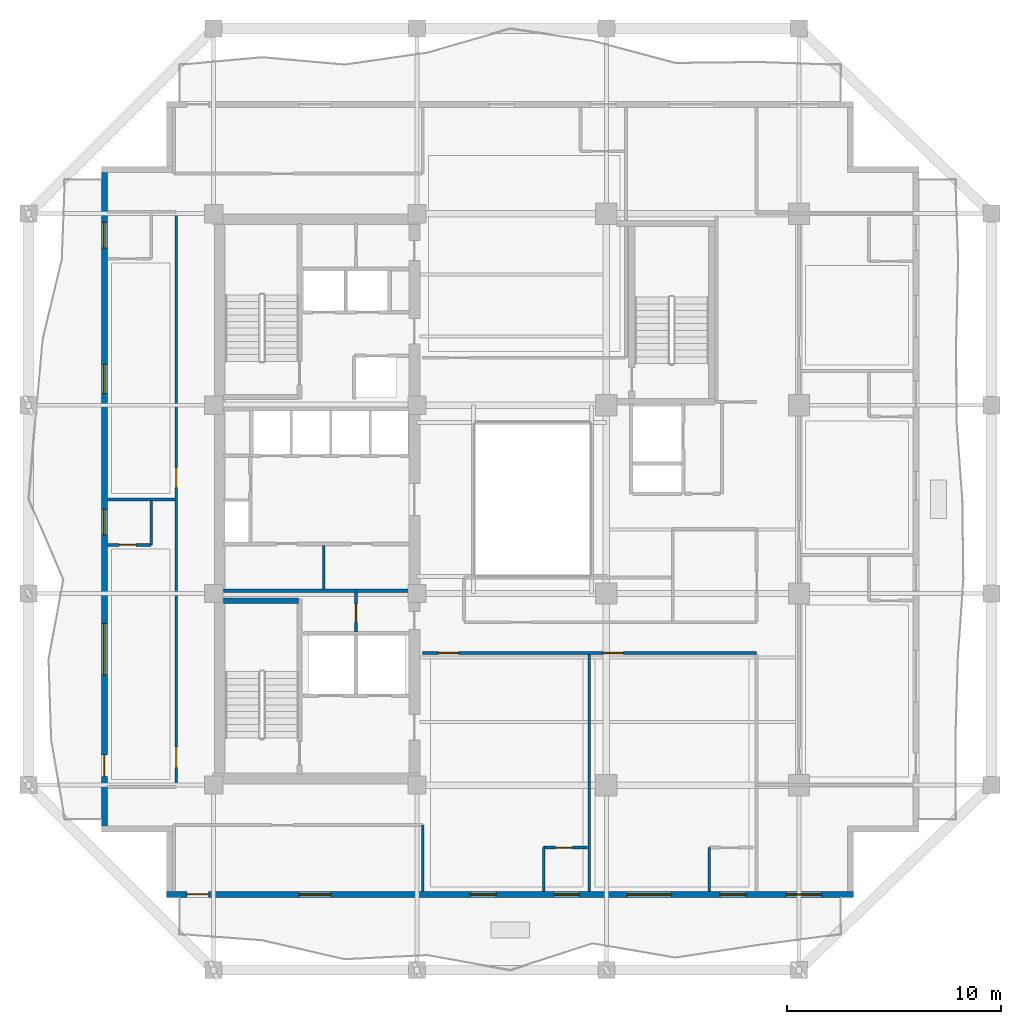
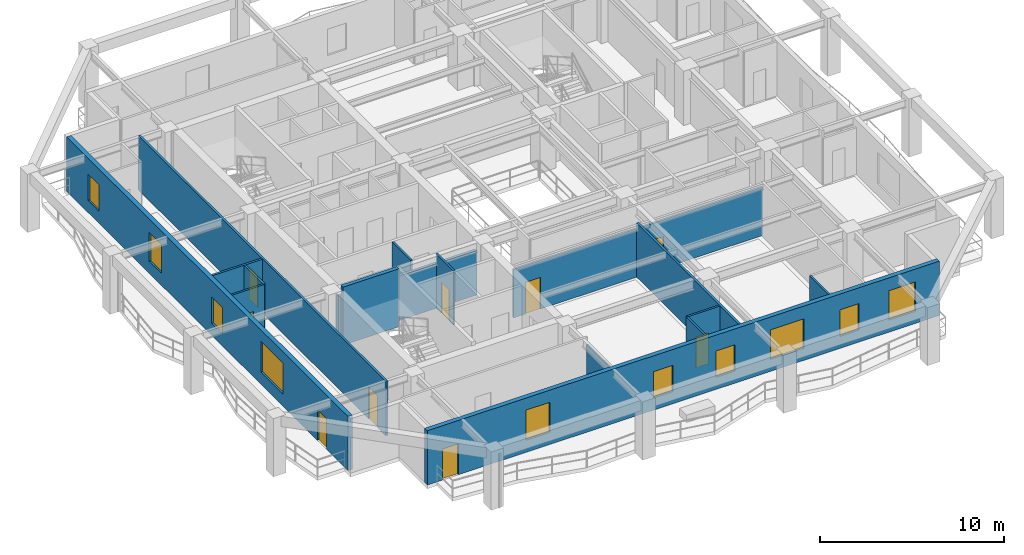
# One storey, part 3 of 11: 16 walls, 10 windows, 9 doors, 19 openings.
"""IFC4 building model written with IfcOpenShell, lengths in metres."""

from ifc_helpers import new_model, si_unit, direction, frame, frame_2d, origin, place, context, subcontext, project, spatial, rectangle, extrude, material, layer, layer_set, type_object, element, fill, save


model = new_model("IFC4")

# Units and contexts
model_context = context("Model", 3, precision=1e-05, world=origin(), true_north=direction((0.0, 1.0)))
body_context = subcontext(model_context, "Body", "Model", "MODEL_VIEW")
ifc_project = project(units=[si_unit("LENGTHUNIT", "METRE"), si_unit("AREAUNIT", "SQUARE_METRE"), si_unit("VOLUMEUNIT", "CUBIC_METRE"), si_unit("PLANEANGLEUNIT", "RADIAN"), si_unit("MASSUNIT", "GRAM", prefix="KILO")], contexts=[model_context])

# Site, building, storey
site_placement = place(None, origin())
site = spatial("IfcSite", under=ifc_project, at=site_placement, CompositionType="ELEMENT")
building_placement = place(site_placement, origin())
building = spatial("IfcBuilding", under=site, at=building_placement, Name="Kundavana Baori Tower", CompositionType="ELEMENT")
storey_placement = place(building_placement, frame((0.0, 0.0, 119.39990234375)))
storey = spatial("IfcBuildingStorey", under=building, at=storey_placement, Name="L28", CompositionType="ELEMENT", Elevation=119.39990234375)

# Wall
ifc_material_1 = material(Name="Concrete C50/60", Category="concrete")
ifc_layer_1 = layer(ifc_material_1, 0.39990234375, Name="WL-CORE-400")
ifc_layer_set_1 = layer_set([ifc_layer_1], Name="Concrete C50/60")
wall_type_1 = type_object("IfcWallType", Name="WL-CORE-400", PredefinedType="SHEAR", material=ifc_layer_set_1)
wall_1_placement = place(storey_placement, frame((15.89990234375, 23.860107421875, 0.0), z_axis=(0.0, 0.0, 1.0), x_axis=(1.0, 0.0, 0.0)))
element("IfcWall", 1, at=wall_1_placement, inside=storey, type_object=wall_type_1, Name="WL-L28-ST1-N", PredefinedType="SHEAR", context=body_context, shape_type="SweptSolid", body=[
    extrude(rectangle(XDim=3.52001953125, YDim=0.239990234375, at=frame_2d((1.760009765625, 0.0))), origin(), (0.0, 0.0, 1.0), 3.85009765625),
])

# Wall, openings, door, windows
ifc_material_2 = material(Name="Red-Buff Dholpur Sandstone Cladding on Concrete C40/50", Category="masonry")
ifc_layer_2 = layer(ifc_material_2, 0.280029296875, Name="WL-EXT-SAND-280")
ifc_layer_set_2 = layer_set([ifc_layer_2], Name="Red-Buff Dholpur Sandstone Cladding on Concrete C40/50")
wall_type_2 = type_object("IfcWallType", Name="WL-EXT-SAND-280", PredefinedType="STANDARD", material=ifc_layer_set_2)
wall_2_placement = place(storey_placement, frame((13.25, 10.139892578125, 0.0), z_axis=(0.0, 0.0, 1.0), x_axis=(1.0, 0.0, 0.0)))
wall_2 = element("IfcWall", 2, at=wall_2_placement, inside=storey, type_object=wall_type_2, Name="L28 Exterior Insulated Facade Wall 01", PredefinedType="STANDARD", context=body_context, shape_type="SweptSolid", body=[
    extrude(rectangle(XDim=32.10009765625, YDim=0.280029296875, at=frame_2d((16.050048828125, 0.0))), origin(), (0.0, 0.0, 1.0), 3.60009765625),
])
opening_1_placement = place(wall_2_placement, frame((0.949951171875, 0.0, 0.0)))
opening_1 = element("IfcOpeningElement", 3, at=opening_1_placement, cuts=wall_2, Name="Opening BD-1", PredefinedType="OPENING", context=body_context, shape_type="SweptSolid", body=[
    extrude(rectangle(XDim=1.0, YDim=2.050048828125, at=frame_2d((0.5, 1.02490234375))), frame((0.0, 0.14990234375, 0.0), z_axis=(0.0, -1.0, 0.0), x_axis=(1.0, 0.0, 0.0)), (0.0, 0.0, 1.0), 0.300048828125),
])
opening_2_placement = place(wall_2_placement, frame((6.179931640625, 0.0, 0.800048828125)))
opening_2 = element("IfcOpeningElement", 4, at=opening_2_placement, cuts=wall_2, Name="Opening W-02", PredefinedType="OPENING", context=body_context, shape_type="SweptSolid", body=[
    extrude(rectangle(XDim=1.5, YDim=2.0, at=frame_2d((0.75, 1.0))), frame((0.0, 0.14990234375, 0.0), z_axis=(0.0, -1.0, 0.0), x_axis=(1.0, 0.0, 0.0)), (0.0, 0.0, 1.0), 0.300048828125),
])
opening_3_placement = place(wall_2_placement, frame((14.195068359375, 0.0, 0.800048828125)))
opening_3 = element("IfcOpeningElement", 5, at=opening_3_placement, cuts=wall_2, Name="Opening W-03", PredefinedType="OPENING", context=body_context, shape_type="SweptSolid", body=[
    extrude(rectangle(XDim=1.199951171875, YDim=1.75, at=frame_2d((0.60009765625, 0.875))), frame((0.0, 0.14990234375, 0.0), z_axis=(0.0, -1.0, 0.0), x_axis=(1.0, 0.0, 0.0)), (0.0, 0.0, 1.0), 0.300048828125),
])
opening_4_placement = place(wall_2_placement, frame((18.0849609375, 0.0, 0.800048828125)))
opening_4 = element("IfcOpeningElement", 6, at=opening_4_placement, cuts=wall_2, Name="Opening W-03", PredefinedType="OPENING", context=body_context, shape_type="SweptSolid", body=[
    extrude(rectangle(XDim=1.199951171875, YDim=1.75, at=frame_2d((0.60009765625, 0.875))), frame((0.0, 0.14990234375, 0.0), z_axis=(0.0, -1.0, 0.0), x_axis=(1.0, 0.0, 0.0)), (0.0, 0.0, 1.0), 0.300048828125),
])
opening_5_placement = place(wall_2_placement, frame((21.5048828125, 0.0, 0.800048828125)))
opening_5 = element("IfcOpeningElement", 7, at=opening_5_placement, cuts=wall_2, Name="Opening W-05", PredefinedType="OPENING", context=body_context, shape_type="SweptSolid", body=[
    extrude(rectangle(XDim=2.10009765625, YDim=1.949951171875, at=frame_2d((1.050048828125, 0.97509765625))), frame((0.0, 0.14990234375, 0.0), z_axis=(0.0, -1.0, 0.0), x_axis=(1.0, 0.0, 0.0)), (0.0, 0.0, 1.0), 0.300048828125),
])
opening_6_placement = place(wall_2_placement, frame((25.864990234375, 0.0, 0.800048828125)))
opening_6 = element("IfcOpeningElement", 8, at=opening_6_placement, cuts=wall_2, Name="Opening W-03", PredefinedType="OPENING", context=body_context, shape_type="SweptSolid", body=[
    extrude(rectangle(XDim=1.199951171875, YDim=1.75, at=frame_2d((0.60009765625, 0.875))), frame((0.0, 0.14990234375, 0.0), z_axis=(0.0, -1.0, 0.0), x_axis=(1.0, 0.0, 0.0)), (0.0, 0.0, 1.0), 0.300048828125),
])
opening_7_placement = place(wall_2_placement, frame((28.955078125, 0.0, 0.800048828125)))
opening_7 = element("IfcOpeningElement", 9, at=opening_7_placement, cuts=wall_2, Name="Opening W-08", PredefinedType="OPENING", context=body_context, shape_type="SweptSolid", body=[
    extrude(rectangle(XDim=1.64990234375, YDim=1.949951171875, at=frame_2d((0.824951171875, 0.97509765625))), frame((0.0, 0.14990234375, 0.0), z_axis=(0.0, -1.0, 0.0), x_axis=(1.0, 0.0, 0.0)), (0.0, 0.0, 1.0), 0.300048828125),
])
ifc_material_3 = material(Name="Architectural Patinated Bronze Metalwork")
door_type_1 = type_object("IfcDoorType", Name="DR-EXT-LOG-1000", OperationType="NOTDEFINED", PredefinedType="DOOR", material=ifc_material_3)
door_1_placement = place(opening_1_placement, frame((1.0, 0.0, 0.0), z_axis=(0.0, 0.0, 1.0), x_axis=(-1.0, 0.0, 0.0)))
door_1 = element("IfcDoor", 10, at=door_1_placement, inside=storey, type_object=door_type_1, Name="L28 Loggia Balcony Access Door S", OperationType="SINGLE_SWING_LEFT", OverallHeight=2.050048828125, OverallWidth=1.0, PredefinedType="DOOR", context=body_context, shape_type="SweptSolid", body=[
    extrude(rectangle(XDim=1.0, YDim=2.050048828125, at=frame_2d((0.5, 1.02490234375))), frame((0.0, 0.02490234375, 0.0), z_axis=(0.0, -1.0, 0.0), x_axis=(1.0, 0.0, 0.0)), (0.0, 0.0, 1.0), 0.050048828125),
])
fill(opening_1, door_1)
ifc_material_4 = material(Name="Double-Glazed Solar-Control Low-E Insulated Glass", Category="glass")
window_type_1 = type_object("IfcWindowType", Name="WIN-LOG-1200x1750", PartitioningType="SINGLE_PANEL", PredefinedType="WINDOW", material=ifc_material_4)
window_1_placement = place(opening_3_placement, origin())
window_1 = element("IfcWindow", 11, at=window_1_placement, inside=storey, type_object=window_type_1, Name="L28 Recessed Loggia Window S-2", OverallHeight=1.75, OverallWidth=1.199951171875, PartitioningType="SINGLE_PANEL", PredefinedType="WINDOW", context=body_context, shape_type="SweptSolid", body=[
    extrude(rectangle(XDim=1.199951171875, YDim=1.75, at=frame_2d((0.60009765625, 0.875))), frame((0.0, 0.030029296875, 0.0), z_axis=(0.0, -1.0, 0.0), x_axis=(1.0, 0.0, 0.0)), (0.0, 0.0, 1.0), 0.06005859375),
])
fill(opening_3, window_1)
window_2_placement = place(opening_4_placement, origin())
window_2 = element("IfcWindow", 12, at=window_2_placement, inside=storey, type_object=window_type_1, Name="L28 Recessed Loggia Window S-3", OverallHeight=1.75, OverallWidth=1.199951171875, PartitioningType="SINGLE_PANEL", PredefinedType="WINDOW", context=body_context, shape_type="SweptSolid", body=[
    extrude(rectangle(XDim=1.199951171875, YDim=1.75, at=frame_2d((0.60009765625, 0.875))), frame((0.0, 0.030029296875, 0.0), z_axis=(0.0, -1.0, 0.0), x_axis=(1.0, 0.0, 0.0)), (0.0, 0.0, 1.0), 0.06005859375),
])
fill(opening_4, window_2)
window_3_placement = place(opening_6_placement, origin())
window_3 = element("IfcWindow", 13, at=window_3_placement, inside=storey, type_object=window_type_1, Name="L28 Recessed Loggia Window S-5", OverallHeight=1.75, OverallWidth=1.199951171875, PartitioningType="SINGLE_PANEL", PredefinedType="WINDOW", context=body_context, shape_type="SweptSolid", body=[
    extrude(rectangle(XDim=1.199951171875, YDim=1.75, at=frame_2d((0.60009765625, 0.875))), frame((0.0, 0.030029296875, 0.0), z_axis=(0.0, -1.0, 0.0), x_axis=(1.0, 0.0, 0.0)), (0.0, 0.0, 1.0), 0.06005859375),
])
fill(opening_6, window_3)
ifc_material_5 = material(Name="Double-Glazed Solar-Control Low-E Insulated Glass", Category="glass")
window_type_2 = type_object("IfcWindowType", Name="WIN-LOG-1500x2000", PartitioningType="SINGLE_PANEL", PredefinedType="WINDOW", material=ifc_material_5)
window_4_placement = place(opening_2_placement, origin())
window_4 = element("IfcWindow", 14, at=window_4_placement, inside=storey, type_object=window_type_2, Name="L28 Recessed Loggia Window S-1", OverallHeight=2.0, OverallWidth=1.5, PartitioningType="SINGLE_PANEL", PredefinedType="WINDOW", context=body_context, shape_type="SweptSolid", body=[
    extrude(rectangle(XDim=1.5, YDim=2.0, at=frame_2d((0.75, 1.0))), frame((0.0, 0.030029296875, 0.0), z_axis=(0.0, -1.0, 0.0), x_axis=(1.0, 0.0, 0.0)), (0.0, 0.0, 1.0), 0.06005859375),
])
fill(opening_2, window_4)
ifc_material_6 = material(Name="Double-Glazed Solar-Control Low-E Insulated Glass", Category="glass")
window_type_3 = type_object("IfcWindowType", Name="WIN-LOG-1650x1950", PartitioningType="SINGLE_PANEL", PredefinedType="WINDOW", material=ifc_material_6)
window_5_placement = place(opening_7_placement, origin())
window_5 = element("IfcWindow", 15, at=window_5_placement, inside=storey, type_object=window_type_3, Name="L28 Recessed Loggia Window S-6", OverallHeight=1.949951171875, OverallWidth=1.64990234375, PartitioningType="SINGLE_PANEL", PredefinedType="WINDOW", context=body_context, shape_type="SweptSolid", body=[
    extrude(rectangle(XDim=1.64990234375, YDim=1.949951171875, at=frame_2d((0.824951171875, 0.97509765625))), frame((0.0, 0.030029296875, 0.0), z_axis=(0.0, -1.0, 0.0), x_axis=(1.0, 0.0, 0.0)), (0.0, 0.0, 1.0), 0.06005859375),
])
fill(opening_7, window_5)
ifc_material_7 = material(Name="Double-Glazed Solar-Control Low-E Insulated Glass", Category="glass")
window_type_4 = type_object("IfcWindowType", Name="WIN-LOG-2100x1950", PartitioningType="SINGLE_PANEL", PredefinedType="WINDOW", material=ifc_material_7)
window_6_placement = place(opening_5_placement, origin())
window_6 = element("IfcWindow", 16, at=window_6_placement, inside=storey, type_object=window_type_4, Name="L28 Recessed Loggia Window S-4", OverallHeight=1.949951171875, OverallWidth=2.10009765625, PartitioningType="SINGLE_PANEL", PredefinedType="WINDOW", context=body_context, shape_type="SweptSolid", body=[
    extrude(rectangle(XDim=2.10009765625, YDim=1.949951171875, at=frame_2d((1.050048828125, 0.97509765625))), frame((0.0, 0.030029296875, 0.0), z_axis=(0.0, -1.0, 0.0), x_axis=(1.0, 0.0, 0.0)), (0.0, 0.0, 1.0), 0.06005859375),
])
fill(opening_5, window_6)

wall_3_placement = place(storey_placement, frame((10.340087890625, 43.8701171875, 0.0), z_axis=(0.0, 0.0, 1.0), x_axis=(0.0, -1.0, 0.0)))
wall_3 = element("IfcWall", 17, at=wall_3_placement, inside=storey, type_object=wall_type_2, Name="L28 Exterior Insulated Facade Wall 10", PredefinedType="STANDARD", context=body_context, shape_type="SweptSolid", body=[
    extrude(rectangle(XDim=30.5400390625, YDim=0.280029296875, at=frame_2d((15.27001953125, 0.0))), origin(), (0.0, 0.0, 1.0), 3.60009765625),
])
opening_8_placement = place(wall_3_placement, frame((27.219970703125, 0.0, 0.0)))
opening_8 = element("IfcOpeningElement", 18, at=opening_8_placement, cuts=wall_3, Name="Opening BD-1", PredefinedType="OPENING", context=body_context, shape_type="SweptSolid", body=[
    extrude(rectangle(XDim=1.0, YDim=2.050048828125, at=frame_2d((0.5, 1.02490234375))), frame((0.0, 0.14990234375, 0.0), z_axis=(0.0, -1.0, 0.0), x_axis=(1.0, 0.0, 0.0)), (0.0, 0.0, 1.0), 0.300048828125),
])
opening_9_placement = place(wall_3_placement, frame((21.080078125, 0.0, 0.800048828125)))
opening_9 = element("IfcOpeningElement", 19, at=opening_9_placement, cuts=wall_3, Name="Opening W-04", PredefinedType="OPENING", context=body_context, shape_type="SweptSolid", body=[
    extrude(rectangle(XDim=2.39990234375, YDim=2.050048828125, at=frame_2d((1.199951171875, 1.02490234375))), frame((0.0, 0.14990234375, 0.0), z_axis=(0.0, -1.0, 0.0), x_axis=(1.0, 0.0, 0.0)), (0.0, 0.0, 1.0), 0.300048828125),
])
opening_10_placement = place(wall_3_placement, frame((15.735107421875, 0.0, 0.800048828125)))
opening_10 = element("IfcOpeningElement", 20, at=opening_10_placement, cuts=wall_3, Name="Opening W-03", PredefinedType="OPENING", context=body_context, shape_type="SweptSolid", body=[
    extrude(rectangle(XDim=1.199951171875, YDim=1.75, at=frame_2d((0.60009765625, 0.875))), frame((0.0, 0.14990234375, 0.0), z_axis=(0.0, -1.0, 0.0), x_axis=(1.0, 0.0, 0.0)), (0.0, 0.0, 1.0), 0.300048828125),
])
opening_11_placement = place(wall_3_placement, frame((8.969970703125, 0.0, 0.800048828125)))
opening_11 = element("IfcOpeningElement", 21, at=opening_11_placement, cuts=wall_3, Name="Opening W-07", PredefinedType="OPENING", context=body_context, shape_type="SweptSolid", body=[
    extrude(rectangle(XDim=1.35009765625, YDim=1.89990234375, at=frame_2d((0.675048828125, 0.949951171875))), frame((0.0, 0.14990234375, 0.0), z_axis=(0.0, -1.0, 0.0), x_axis=(1.0, 0.0, 0.0)), (0.0, 0.0, 1.0), 0.300048828125),
])
opening_12_placement = place(wall_3_placement, frame((2.324951171875, 0.0, 0.800048828125)))
opening_12 = element("IfcOpeningElement", 22, at=opening_12_placement, cuts=wall_3, Name="Opening W-03", PredefinedType="OPENING", context=body_context, shape_type="SweptSolid", body=[
    extrude(rectangle(XDim=1.199951171875, YDim=1.75, at=frame_2d((0.60009765625, 0.875))), frame((0.0, 0.14990234375, 0.0), z_axis=(0.0, -1.0, 0.0), x_axis=(1.0, 0.0, 0.0)), (0.0, 0.0, 1.0), 0.300048828125),
])
door_2_placement = place(opening_8_placement, frame((1.0, 0.0, 0.0), z_axis=(0.0, 0.0, 1.0), x_axis=(-1.0, 0.0, 0.0)))
door_2 = element("IfcDoor", 23, at=door_2_placement, inside=storey, type_object=door_type_1, Name="L28 Loggia Balcony Access Door W", OperationType="SINGLE_SWING_RIGHT", OverallHeight=2.050048828125, OverallWidth=1.0, PredefinedType="DOOR", context=body_context, shape_type="SweptSolid", body=[
    extrude(rectangle(XDim=1.0, YDim=2.050048828125, at=frame_2d((0.5, 1.02490234375))), frame((0.0, 0.02490234375, 0.0), z_axis=(0.0, -1.0, 0.0), x_axis=(1.0, 0.0, 0.0)), (0.0, 0.0, 1.0), 0.050048828125),
])
fill(opening_8, door_2)
window_7_placement = place(opening_10_placement, origin())
window_7 = element("IfcWindow", 24, at=window_7_placement, inside=storey, type_object=window_type_1, Name="L28 Recessed Loggia Window W-2", OverallHeight=1.75, OverallWidth=1.199951171875, PartitioningType="SINGLE_PANEL", PredefinedType="WINDOW", context=body_context, shape_type="SweptSolid", body=[
    extrude(rectangle(XDim=1.199951171875, YDim=1.75, at=frame_2d((0.60009765625, 0.875))), frame((0.0, 0.030029296875, 0.0), z_axis=(0.0, -1.0, 0.0), x_axis=(1.0, 0.0, 0.0)), (0.0, 0.0, 1.0), 0.06005859375),
])
fill(opening_10, window_7)
window_8_placement = place(opening_12_placement, origin())
window_8 = element("IfcWindow", 25, at=window_8_placement, inside=storey, type_object=window_type_1, Name="L28 Recessed Loggia Window W-4", OverallHeight=1.75, OverallWidth=1.199951171875, PartitioningType="SINGLE_PANEL", PredefinedType="WINDOW", context=body_context, shape_type="SweptSolid", body=[
    extrude(rectangle(XDim=1.199951171875, YDim=1.75, at=frame_2d((0.60009765625, 0.875))), frame((0.0, 0.030029296875, 0.0), z_axis=(0.0, -1.0, 0.0), x_axis=(1.0, 0.0, 0.0)), (0.0, 0.0, 1.0), 0.06005859375),
])
fill(opening_12, window_8)
ifc_material_8 = material(Name="Double-Glazed Solar-Control Low-E Insulated Glass", Category="glass")
window_type_5 = type_object("IfcWindowType", Name="WIN-LOG-1350x1900", PartitioningType="SINGLE_PANEL", PredefinedType="WINDOW", material=ifc_material_8)
window_9_placement = place(opening_11_placement, origin())
window_9 = element("IfcWindow", 26, at=window_9_placement, inside=storey, type_object=window_type_5, Name="L28 Recessed Loggia Window W-3", OverallHeight=1.89990234375, OverallWidth=1.35009765625, PartitioningType="SINGLE_PANEL", PredefinedType="WINDOW", context=body_context, shape_type="SweptSolid", body=[
    extrude(rectangle(XDim=1.35009765625, YDim=1.89990234375, at=frame_2d((0.675048828125, 0.949951171875))), frame((0.0, 0.030029296875, 0.0), z_axis=(0.0, -1.0, 0.0), x_axis=(1.0, 0.0, 0.0)), (0.0, 0.0, 1.0), 0.06005859375),
])
fill(opening_11, window_9)
ifc_material_9 = material(Name="Double-Glazed Solar-Control Low-E Insulated Glass", Category="glass")
window_type_6 = type_object("IfcWindowType", Name="WIN-LOG-2400x2050", PartitioningType="SINGLE_PANEL", PredefinedType="WINDOW", material=ifc_material_9)
window_10_placement = place(opening_9_placement, origin())
window_10 = element("IfcWindow", 27, at=window_10_placement, inside=storey, type_object=window_type_6, Name="L28 Recessed Loggia Window W-1", OverallHeight=2.050048828125, OverallWidth=2.39990234375, PartitioningType="SINGLE_PANEL", PredefinedType="WINDOW", context=body_context, shape_type="SweptSolid", body=[
    extrude(rectangle(XDim=2.39990234375, YDim=2.050048828125, at=frame_2d((1.199951171875, 1.02490234375))), frame((0.0, 0.030029296875, 0.0), z_axis=(0.0, -1.0, 0.0), x_axis=(1.0, 0.0, 0.0)), (0.0, 0.0, 1.0), 0.06005859375),
])
fill(opening_9, window_10)

# Wall, opening, door
ifc_material_10 = material(Name="Acoustic Gypsum Plasterboard on Galvanised Steel Studs", Category="steel")
ifc_layer_3 = layer(ifc_material_10, 0.1201171875, Name="WL-PART-120")
ifc_layer_set_3 = layer_set([ifc_layer_3], Name="Acoustic Gypsum Plasterboard on Galvanised Steel Studs")
wall_type_3 = type_object("IfcWallType", Name="WL-PART-120", PredefinedType="PARTITIONING", material=ifc_layer_set_3)
wall_4_placement = place(storey_placement, frame((22.10009765625, 22.39990234375, 0.0), z_axis=(0.0, 0.0, 1.0), x_axis=(0.0, 1.0, 0.0)))
wall_4 = element("IfcWall", 28, at=wall_4_placement, inside=storey, type_object=wall_type_3, Name="WL-L28-CSMK-D1", PredefinedType="PARTITIONING", context=body_context, shape_type="SweptSolid", body=[
    extrude(rectangle(XDim=1.880126953125, YDim=0.1201171875, at=frame_2d((0.93994140625, 0.0))), origin(), (0.0, 0.0, 1.0), 3.60009765625),
])
opening_13_placement = place(wall_4_placement, frame((0.449951171875, 0.0, 0.0)))
opening_13 = element("IfcOpeningElement", 29, at=opening_13_placement, cuts=wall_4, Name="Opening FD-085", PredefinedType="OPENING", context=body_context, shape_type="SweptSolid", body=[
    extrude(rectangle(XDim=0.85009765625, YDim=2.06005859375, at=frame_2d((0.425048828125, 1.030029296875))), frame((0.0, 0.070068359375, 0.0), z_axis=(0.0, -1.0, 0.0), x_axis=(1.0, 0.0, 0.0)), (0.0, 0.0, 1.0), 0.14013671875),
])
ifc_material_11 = material(Name="Galvanised Steel Fire-Rated Door Leaf", Category="steel")
door_type_2 = type_object("IfcDoorType", Name="DR-FD60-850", OperationType="NOTDEFINED", PredefinedType="DOOR", material=ifc_material_11)
door_3_placement = place(opening_13_placement, origin())
door_3 = element("IfcDoor", 30, at=door_3_placement, inside=storey, type_object=door_type_2, Name="DR-L28-CSMK1", OperationType="SINGLE_SWING_LEFT", OverallHeight=2.06005859375, OverallWidth=0.85009765625, PredefinedType="DOOR", context=body_context, shape_type="SweptSolid", body=[
    extrude(rectangle(XDim=0.85009765625, YDim=2.06005859375, at=frame_2d((0.425048828125, 1.030029296875))), frame((0.0, 0.02490234375, 0.0), z_axis=(0.0, -1.0, 0.0), x_axis=(1.0, 0.0, 0.0)), (0.0, 0.0, 1.0), 0.050048828125),
])
fill(opening_13, door_3)

# Wall
wall_5_placement = place(storey_placement, frame((20.60009765625, 24.419921875, 0.0), z_axis=(0.0, 0.0, 1.0), x_axis=(0.0, 1.0, 0.0)))
element("IfcWall", 31, at=wall_5_placement, inside=storey, type_object=wall_type_3, Name="WL-L28-FRLOW-DIV", PredefinedType="PARTITIONING", context=body_context, shape_type="SweptSolid", body=[
    extrude(rectangle(XDim=2.02001953125, YDim=0.1201171875, at=frame_2d((1.010009765625, 0.0))), origin(), (0.0, 0.0, 1.0), 3.60009765625),
])

# Wall, openings, doors
ifc_material_12 = material(Name="Acoustic Gypsum Plasterboard on Galvanised Steel Studs", Category="steel")
ifc_layer_4 = layer(ifc_material_12, 0.135009765625, Name="WL-PART-135")
ifc_layer_set_4 = layer_set([ifc_layer_4], Name="Acoustic Gypsum Plasterboard on Galvanised Steel Studs")
wall_type_4 = type_object("IfcWallType", Name="WL-PART-135", PredefinedType="PARTITIONING", material=ifc_layer_set_4)
wall_6_placement = place(storey_placement, frame((25.219970703125, 21.419921875, 0.0), z_axis=(0.0, 0.0, 1.0), x_axis=(1.0, 0.0, 0.0)))
wall_6 = element("IfcWall", 32, at=wall_6_placement, inside=storey, type_object=wall_type_4, Name="WL-L28-HS", PredefinedType="PARTITIONING", context=body_context, shape_type="SweptSolid", body=[
    extrude(rectangle(XDim=15.60009765625, YDim=0.135009765625, at=frame_2d((7.800048828125, 0.0))), origin(), (0.0, 0.0, 1.0), 3.2001953125),
])
opening_14_placement = place(wall_6_placement, frame((0.72998046875, 0.0, 0.0)))
opening_14 = element("IfcOpeningElement", 33, at=opening_14_placement, cuts=wall_6, Name="Opening FD-095", PredefinedType="OPENING", context=body_context, shape_type="SweptSolid", body=[
    extrude(rectangle(XDim=0.949951171875, YDim=2.10009765625, at=frame_2d((0.47509765625, 1.050048828125))), frame((0.0, 0.07763671875, 0.0), z_axis=(0.0, -1.0, 0.0), x_axis=(1.0, 0.0, 0.0)), (0.0, 0.0, 1.0), 0.155029296875),
])
opening_15_placement = place(wall_6_placement, frame((8.429931640625, 0.0, 0.0)))
opening_15 = element("IfcOpeningElement", 34, at=opening_15_placement, cuts=wall_6, Name="Opening FD-095", PredefinedType="OPENING", context=body_context, shape_type="SweptSolid", body=[
    extrude(rectangle(XDim=0.949951171875, YDim=2.10009765625, at=frame_2d((0.47509765625, 1.050048828125))), frame((0.0, 0.07763671875, 0.0), z_axis=(0.0, -1.0, 0.0), x_axis=(1.0, 0.0, 0.0)), (0.0, 0.0, 1.0), 0.155029296875),
])
ifc_material_13 = material(Name="Engineered Teak Fire-Rated Timber Door Leaf", Category="wood")
door_type_3 = type_object("IfcDoorType", Name="DR-FD60-950", OperationType="NOTDEFINED", PredefinedType="DOOR", material=ifc_material_13)
door_4_placement = place(opening_14_placement, frame((0.949951171875, 0.0, 0.0), z_axis=(0.0, 0.0, 1.0), x_axis=(-1.0, 0.0, 0.0)))
door_4 = element("IfcDoor", 35, at=door_4_placement, inside=storey, type_object=door_type_3, Name="DR-L28-HK-S1-ENT", OperationType="SINGLE_SWING_RIGHT", OverallHeight=2.10009765625, OverallWidth=0.949951171875, PredefinedType="DOOR", context=body_context, shape_type="SweptSolid", body=[
    extrude(rectangle(XDim=0.949951171875, YDim=2.10009765625, at=frame_2d((0.47509765625, 1.050048828125))), frame((0.0, 0.02490234375, 0.0), z_axis=(0.0, -1.0, 0.0), x_axis=(1.0, 0.0, 0.0)), (0.0, 0.0, 1.0), 0.050048828125),
])
fill(opening_14, door_4)
door_5_placement = place(opening_15_placement, frame((0.949951171875, 0.0, 0.0), z_axis=(0.0, 0.0, 1.0), x_axis=(-1.0, 0.0, 0.0)))
door_5 = element("IfcDoor", 36, at=door_5_placement, inside=storey, type_object=door_type_3, Name="DR-L28-HK-S2-ENT", OperationType="SINGLE_SWING_RIGHT", OverallHeight=2.10009765625, OverallWidth=0.949951171875, PredefinedType="DOOR", context=body_context, shape_type="SweptSolid", body=[
    extrude(rectangle(XDim=0.949951171875, YDim=2.10009765625, at=frame_2d((0.47509765625, 1.050048828125))), frame((0.0, 0.02490234375, 0.0), z_axis=(0.0, -1.0, 0.0), x_axis=(1.0, 0.0, 0.0)), (0.0, 0.0, 1.0), 0.050048828125),
])
fill(opening_15, door_5)

wall_7_placement = place(storey_placement, frame((13.699951171875, 15.159912109375, 0.0), z_axis=(0.0, 0.0, 1.0), x_axis=(0.0, 1.0, 0.0)))
wall_7 = element("IfcWall", 37, at=wall_7_placement, inside=storey, type_object=wall_type_4, Name="WL-L28-HW", PredefinedType="PARTITIONING", context=body_context, shape_type="SweptSolid", body=[
    extrude(rectangle(XDim=26.880126953125, YDim=0.135009765625, at=frame_2d((13.43994140625, 0.0))), origin(), (0.0, 0.0, 1.0), 3.60009765625),
])
opening_16_placement = place(wall_7_placement, frame((0.909912109375, 0.0, 0.0)))
opening_16 = element("IfcOpeningElement", 38, at=opening_16_placement, cuts=wall_7, Name="Opening FD-095", PredefinedType="OPENING", context=body_context, shape_type="SweptSolid", body=[
    extrude(rectangle(XDim=0.949951171875, YDim=2.10009765625, at=frame_2d((0.47509765625, 1.050048828125))), frame((0.0, 0.07763671875, 0.0), z_axis=(0.0, -1.0, 0.0), x_axis=(1.0, 0.0, 0.0)), (0.0, 0.0, 1.0), 0.155029296875),
])
opening_17_placement = place(wall_7_placement, frame((13.989990234375, 0.0, 0.0)))
opening_17 = element("IfcOpeningElement", 39, at=opening_17_placement, cuts=wall_7, Name="Opening FD-095", PredefinedType="OPENING", context=body_context, shape_type="SweptSolid", body=[
    extrude(rectangle(XDim=0.949951171875, YDim=2.10009765625, at=frame_2d((0.47509765625, 1.050048828125))), frame((0.0, 0.07763671875, 0.0), z_axis=(0.0, -1.0, 0.0), x_axis=(1.0, 0.0, 0.0)), (0.0, 0.0, 1.0), 0.155029296875),
])
door_6_placement = place(opening_16_placement, origin())
door_6 = element("IfcDoor", 40, at=door_6_placement, inside=storey, type_object=door_type_3, Name="DR-L28-HK-W1-ENT", OperationType="SINGLE_SWING_LEFT", OverallHeight=2.10009765625, OverallWidth=0.949951171875, PredefinedType="DOOR", context=body_context, shape_type="SweptSolid", body=[
    extrude(rectangle(XDim=0.949951171875, YDim=2.10009765625, at=frame_2d((0.47509765625, 1.050048828125))), frame((0.0, 0.02490234375, 0.0), z_axis=(0.0, -1.0, 0.0), x_axis=(1.0, 0.0, 0.0)), (0.0, 0.0, 1.0), 0.050048828125),
])
fill(opening_16, door_6)
door_7_placement = place(opening_17_placement, origin())
door_7 = element("IfcDoor", 41, at=door_7_placement, inside=storey, type_object=door_type_3, Name="DR-L28-HK-W2-ENT", OperationType="SINGLE_SWING_LEFT", OverallHeight=2.10009765625, OverallWidth=0.949951171875, PredefinedType="DOOR", context=body_context, shape_type="SweptSolid", body=[
    extrude(rectangle(XDim=0.949951171875, YDim=2.10009765625, at=frame_2d((0.47509765625, 1.050048828125))), frame((0.0, 0.02490234375, 0.0), z_axis=(0.0, -1.0, 0.0), x_axis=(1.0, 0.0, 0.0)), (0.0, 0.0, 1.0), 0.050048828125),
])
fill(opening_17, door_7)

# Walls
wall_8_placement = place(storey_placement, frame((25.219970703125, 10.280029296875, 0.0), z_axis=(0.0, 0.0, 1.0), x_axis=(0.0, 1.0, 0.0)))
element("IfcWall", 42, at=wall_8_placement, inside=storey, type_object=wall_type_4, Name="WL-L28-HSCE", PredefinedType="PARTITIONING", context=body_context, shape_type="SweptSolid", body=[
    extrude(rectangle(XDim=3.099853515625, YDim=0.135009765625, at=frame_2d((1.5498046875, 0.0))), origin(), (0.0, 0.0, 1.0), 3.10009765625),
])
wall_9_placement = place(storey_placement, frame((10.47998046875, 28.60009765625, 0.0), z_axis=(0.0, 0.0, 1.0), x_axis=(1.0, 0.0, 0.0)))
element("IfcWall", 43, at=wall_9_placement, inside=storey, type_object=wall_type_4, Name="WL-L28-HWD1", PredefinedType="PARTITIONING", context=body_context, shape_type="SweptSolid", body=[
    extrude(rectangle(XDim=3.159912109375, YDim=0.135009765625, at=frame_2d((1.580078125, 0.0))), origin(), (0.0, 0.0, 1.0), 3.60009765625),
])
wall_10_placement = place(storey_placement, frame((33.0, 10.280029296875, 0.0), z_axis=(0.0, 0.0, 1.0), x_axis=(0.0, 1.0, 0.0)))
element("IfcWall", 44, at=wall_10_placement, inside=storey, type_object=wall_type_4, Name="WL-L28-HSD1", PredefinedType="PARTITIONING", context=body_context, shape_type="SweptSolid", body=[
    extrude(rectangle(XDim=11.080078125, YDim=0.135009765625, at=frame_2d((5.5400390625, 0.0))), origin(), (0.0, 0.0, 1.0), 3.60009765625),
])
ifc_material_14 = material(Name="Autoclaved Aerated Concrete Blockwork Masonry", Category="masonry")
ifc_layer_5 = layer(ifc_material_14, 0.179931640625, Name="WL-SHAFT-180")
ifc_layer_set_5 = layer_set([ifc_layer_5], Name="Autoclaved Aerated Concrete Blockwork Masonry")
wall_type_5 = type_object("IfcWallType", Name="WL-SHAFT-180", PredefinedType="SOLIDWALL", material=ifc_layer_set_5)
wall_11_placement = place(storey_placement, frame((15.89990234375, 24.330078125, 0.0), z_axis=(0.0, 0.0, 1.0), x_axis=(1.0, 0.0, 0.0)))
element("IfcWall", 45, at=wall_11_placement, inside=storey, type_object=wall_type_5, Name="WL-L28-LPLOW-S", PredefinedType="SOLIDWALL", context=body_context, shape_type="SweptSolid", body=[
    extrude(rectangle(XDim=8.68017578125, YDim=0.179931640625, at=frame_2d((4.340087890625, 0.0))), origin(), (0.0, 0.0, 1.0), 2.9501953125),
])
ifc_material_15 = material(Name="Autoclaved Aerated Concrete Blockwork Masonry", Category="masonry")
ifc_layer_6 = layer(ifc_material_15, 0.125, Name="WL-WET-120")
ifc_layer_set_6 = layer_set([ifc_layer_6], Name="Autoclaved Aerated Concrete Blockwork Masonry")
wall_type_6 = type_object("IfcWallType", Name="WL-WET-120", PredefinedType="PLUMBINGWALL", material=ifc_layer_set_6)
wall_12_placement = place(storey_placement, frame((12.530029296875, 26.469970703125, 0.0), z_axis=(0.0, 0.0, 1.0), x_axis=(0.0, 1.0, 0.0)))
element("IfcWall", 46, at=wall_12_placement, inside=storey, type_object=wall_type_6, Name="WL-L28-HK-W1-BE", PredefinedType="PLUMBINGWALL", context=body_context, shape_type="SweptSolid", body=[
    extrude(rectangle(XDim=2.050048828125, YDim=0.125, at=frame_2d((1.02490234375, 0.0))), origin(), (0.0, 0.0, 1.0), 3.60009765625),
])

# Wall, opening, door
wall_13_placement = place(storey_placement, frame((10.47998046875, 26.469970703125, 0.0), z_axis=(0.0, 0.0, 1.0), x_axis=(1.0, 0.0, 0.0)))
wall_13 = element("IfcWall", 47, at=wall_13_placement, inside=storey, type_object=wall_type_6, Name="WL-L28-HK-W1-BS", PredefinedType="PLUMBINGWALL", context=body_context, shape_type="SweptSolid", body=[
    extrude(rectangle(XDim=2.050048828125, YDim=0.125, at=frame_2d((1.02490234375, 0.0))), origin(), (0.0, 0.0, 1.0), 3.60009765625),
])
opening_18_placement = place(wall_13_placement, frame((0.550048828125, 0.0, 0.0)))
opening_18 = element("IfcOpeningElement", 48, at=opening_18_placement, cuts=wall_13, Name="Opening WD-080", PredefinedType="OPENING", context=body_context, shape_type="SweptSolid", body=[
    extrude(rectangle(XDim=0.800048828125, YDim=2.050048828125, at=frame_2d((0.39990234375, 1.02490234375))), frame((0.0, 0.072509765625, 0.0), z_axis=(0.0, -1.0, 0.0), x_axis=(1.0, 0.0, 0.0)), (0.0, 0.0, 1.0), 0.14501953125),
])
ifc_material_16 = material(Name="Engineered Teak Solid-Core Timber Veneer", Category="wood")
door_type_4 = type_object("IfcDoorType", Name="DR-WET-800", OperationType="NOTDEFINED", PredefinedType="DOOR", material=ifc_material_16)
door_8_placement = place(opening_18_placement, frame((0.800048828125, 0.0, 0.0), z_axis=(0.0, 0.0, 1.0), x_axis=(-1.0, 0.0, 0.0)))
door_8 = element("IfcDoor", 49, at=door_8_placement, inside=storey, type_object=door_type_4, Name="DR-L28-HK-W1-ENS", OperationType="SINGLE_SWING_LEFT", OverallHeight=2.050048828125, OverallWidth=0.800048828125, PredefinedType="DOOR", context=body_context, shape_type="SweptSolid", body=[
    extrude(rectangle(XDim=0.800048828125, YDim=2.050048828125, at=frame_2d((0.39990234375, 1.02490234375))), frame((0.0, 0.02490234375, 0.0), z_axis=(0.0, -1.0, 0.0), x_axis=(1.0, 0.0, 0.0)), (0.0, 0.0, 1.0), 0.050048828125),
])
fill(opening_18, door_8)

# Wall
wall_14_placement = place(storey_placement, frame((30.8701171875, 10.280029296875, 0.0), z_axis=(0.0, 0.0, 1.0), x_axis=(0.0, 1.0, 0.0)))
element("IfcWall", 50, at=wall_14_placement, inside=storey, type_object=wall_type_6, Name="WL-L28-HK-S1-BW", PredefinedType="PLUMBINGWALL", context=body_context, shape_type="SweptSolid", body=[
    extrude(rectangle(XDim=2.050048828125, YDim=0.125, at=frame_2d((1.02490234375, 0.0))), origin(), (0.0, 0.0, 1.0), 3.60009765625),
])

# Wall, opening, door
wall_15_placement = place(storey_placement, frame((30.8701171875, 12.330078125, 0.0), z_axis=(0.0, 0.0, 1.0), x_axis=(1.0, 0.0, 0.0)))
wall_15 = element("IfcWall", 51, at=wall_15_placement, inside=storey, type_object=wall_type_6, Name="WL-L28-HK-S1-BN", PredefinedType="PLUMBINGWALL", context=body_context, shape_type="SweptSolid", body=[
    extrude(rectangle(XDim=2.0498046875, YDim=0.125, at=frame_2d((1.02490234375, 0.0))), origin(), (0.0, 0.0, 1.0), 3.60009765625),
])
opening_19_placement = place(wall_15_placement, frame((0.550048828125, 0.0, 0.0)))
opening_19 = element("IfcOpeningElement", 52, at=opening_19_placement, cuts=wall_15, Name="Opening WD-080", PredefinedType="OPENING", context=body_context, shape_type="SweptSolid", body=[
    extrude(rectangle(XDim=0.800048828125, YDim=2.050048828125, at=frame_2d((0.39990234375, 1.02490234375))), frame((0.0, 0.072509765625, 0.0), z_axis=(0.0, -1.0, 0.0), x_axis=(1.0, 0.0, 0.0)), (0.0, 0.0, 1.0), 0.14501953125),
])
door_9_placement = place(opening_19_placement, origin())
door_9 = element("IfcDoor", 53, at=door_9_placement, inside=storey, type_object=door_type_4, Name="DR-L28-HK-S1-ENS", OperationType="SINGLE_SWING_LEFT", OverallHeight=2.050048828125, OverallWidth=0.800048828125, PredefinedType="DOOR", context=body_context, shape_type="SweptSolid", body=[
    extrude(rectangle(XDim=0.800048828125, YDim=2.050048828125, at=frame_2d((0.39990234375, 1.02490234375))), frame((0.0, 0.02490234375, 0.0), z_axis=(0.0, -1.0, 0.0), x_axis=(1.0, 0.0, 0.0)), (0.0, 0.0, 1.0), 0.050048828125),
])
fill(opening_19, door_9)

# Wall
wall_16_placement = place(storey_placement, frame((38.610107421875, 10.280029296875, 0.0), z_axis=(0.0, 0.0, 1.0), x_axis=(0.0, 1.0, 0.0)))
element("IfcWall", 54, at=wall_16_placement, inside=storey, type_object=wall_type_6, Name="WL-L28-HK-S2-BW", PredefinedType="PLUMBINGWALL", context=body_context, shape_type="SweptSolid", body=[
    extrude(rectangle(XDim=2.050048828125, YDim=0.125, at=frame_2d((1.02490234375, 0.0))), origin(), (0.0, 0.0, 1.0), 3.60009765625),
])

save(model, "model.ifc")
